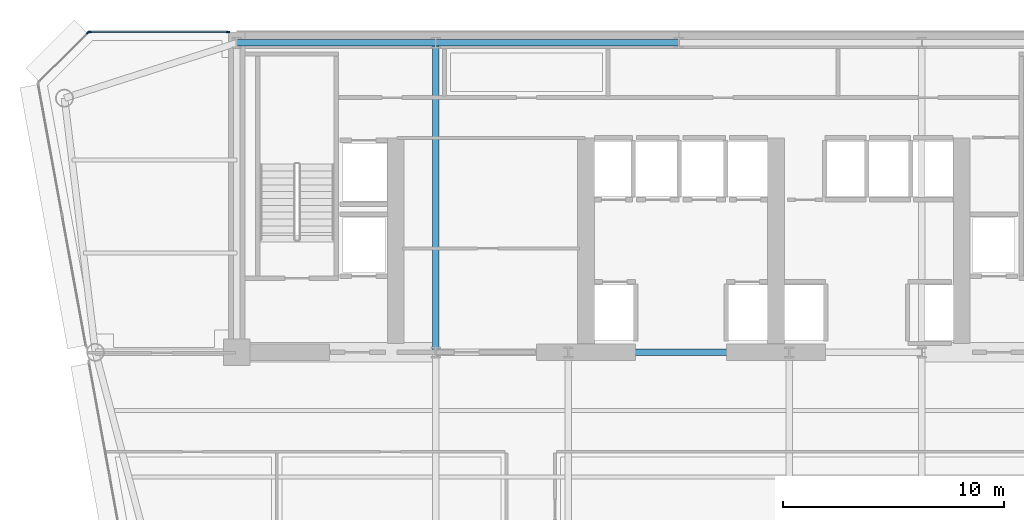
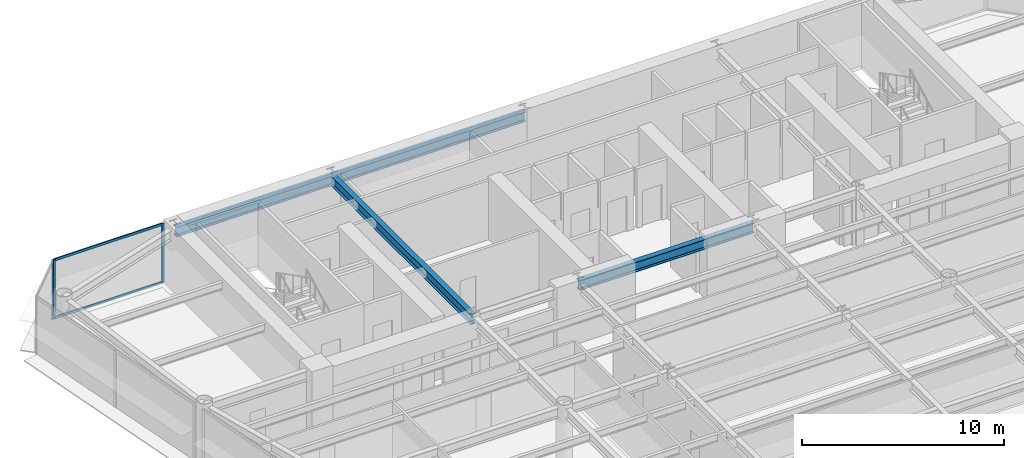
# One storey, part 8 of 17: 5 members, 4 beams, 2 elements without a shape of their own.
"""IFC4 building model written with IfcOpenShell, lengths in metres."""

from ifc_helpers import new_model, si_unit, direction, frame, origin, origin_2d, place, context, subcontext, project, spatial, rectangle, i_section, extrude, source, transform, mapped, material, layer, layer_set, material_profile, profile_set, type_object, element, aggregate, save


model = new_model("IFC4")

# Units and contexts
model_context = context("Model", 3, precision=1e-05, world=origin(), true_north=direction((0.0, 1.0)))
body_context = subcontext(model_context, "Body", "Model", "MODEL_VIEW")
ifc_project = project(units=[si_unit("LENGTHUNIT", "METRE"), si_unit("AREAUNIT", "SQUARE_METRE"), si_unit("VOLUMEUNIT", "CUBIC_METRE"), si_unit("PLANEANGLEUNIT", "RADIAN"), si_unit("MASSUNIT", "GRAM", prefix="KILO")], contexts=[model_context])

# Site, building, storey
site_placement = place(None, origin())
site = spatial("IfcSite", under=ifc_project, at=site_placement, CompositionType="ELEMENT")
building_placement = place(site_placement, origin())
building = spatial("IfcBuilding", under=site, at=building_placement, Name="Vaeldorn Concourse Tower", CompositionType="ELEMENT")
storey_placement = place(building_placement, frame((0.0, 0.0, 161.39990234375)))
storey = spatial("IfcBuildingStorey", under=building, at=storey_placement, Name="L41", CompositionType="ELEMENT", Elevation=161.39990234375)

# Beams
ifc_material_1 = material(Name="Steel S355", Category="steel")
ifc_material_profile_1 = material_profile(ifc_material_1, i_section(OverallWidth=0.300048828125, OverallDepth=0.60009765625, WebThickness=0.015380859375, FlangeThickness=0.030029296875, FilletRadius=0.027099609375, at=origin_2d()), Name="HEB 600")
ifc_profile_set_1 = profile_set([ifc_material_profile_1], Name="Steel S355")
beam_type = type_object("IfcBeamType", Name="BM-PG-HEB600", PredefinedType="BEAM", material=ifc_profile_set_1)
shared_shape_1 = source(origin(), body_context, "Body", "SweptSolid", [
    extrude(i_section(OverallWidth=0.300048828125, OverallDepth=0.60009765625, WebThickness=0.015380859375, FlangeThickness=0.030029296875, FilletRadius=0.027099609375, at=origin_2d()), origin(), (0.0, 0.0, 1.0), 10.0),
])
beam_1_placement = place(storey_placement, frame((29.0, 36.5, 3.280029296875), z_axis=(1.0, 0.0, 0.0), x_axis=(0.0, 1.0, 0.0)))
element("IfcBeam", 1, at=beam_1_placement, inside=storey, type_object=beam_type, Name="Beam BM-L41-C-FC3-C-FC4", PredefinedType="BEAM", context=body_context, shape_type="MappedRepresentation", body=[
    mapped(shared_shape_1, transform((0.0, 0.0, 0.0), scale=1.0)),
])
shared_shape_2 = source(origin(), body_context, "Body", "SweptSolid", [
    extrude(i_section(OverallWidth=0.300048828125, OverallDepth=0.60009765625, WebThickness=0.015380859375, FlangeThickness=0.030029296875, FilletRadius=0.027099609375, at=origin_2d()), origin(), (0.0, 0.0, 1.0), 9.0),
])
beam_2_placement = place(storey_placement, frame((14.0, 50.5, 3.280029296875), z_axis=(1.0, 0.0, 0.0), x_axis=(0.0, 1.0, 0.0)))
element("IfcBeam", 2, at=beam_2_placement, inside=storey, type_object=beam_type, Name="Beam BM-L41-C-HC1-C-HC2", PredefinedType="BEAM", context=body_context, shape_type="MappedRepresentation", body=[
    mapped(shared_shape_2, transform((0.0, 0.0, 0.0), scale=1.0)),
])
shared_shape_3 = source(origin(), body_context, "Body", "SweptSolid", [
    extrude(i_section(OverallWidth=0.300048828125, OverallDepth=0.60009765625, WebThickness=0.015380859375, FlangeThickness=0.030029296875, FilletRadius=0.027099609375, at=origin_2d()), origin(), (0.0, 0.0, 1.0), 11.0),
])
beam_3_placement = place(storey_placement, frame((23.0, 50.5, 3.280029296875), z_axis=(1.0, 0.0, 0.0), x_axis=(0.0, 1.0, 0.0)))
element("IfcBeam", 3, at=beam_3_placement, inside=storey, type_object=beam_type, Name="Beam BM-L41-C-HC2-C-HC3", PredefinedType="BEAM", context=body_context, shape_type="MappedRepresentation", body=[
    mapped(shared_shape_3, transform((0.0, 0.0, 0.0), scale=1.0)),
])
shared_shape_4 = source(origin(), body_context, "Body", "SweptSolid", [
    extrude(i_section(OverallWidth=0.300048828125, OverallDepth=0.60009765625, WebThickness=0.015380859375, FlangeThickness=0.030029296875, FilletRadius=0.027099609375, at=origin_2d()), origin(), (0.0, 0.0, 1.0), 14.0),
])
beam_4_placement = place(storey_placement, frame((23.0, 36.5, 3.280029296875), z_axis=(0.0, 1.0, 0.0), x_axis=(-1.0, 0.0, 0.0)))
element("IfcBeam", 4, at=beam_4_placement, inside=storey, type_object=beam_type, Name="Beam BM-L41-C-FC2-C-HC2", PredefinedType="BEAM", context=body_context, shape_type="MappedRepresentation", body=[
    mapped(shared_shape_4, transform((0.0, 0.0, 0.0), scale=1.0)),
])

# Curtain wall, members
ifc_material_2 = material(Name="Anodised Bronze Aluminium", Category="aluminium")
ifc_layer = layer(ifc_material_2, 0.18994140625)
ifc_layer_set = layer_set([ifc_layer], Name="Anodised Bronze Aluminium")
curtain_wall_type = type_object("IfcCurtainWallType", Name="CW-SYS-03", PredefinedType="NOTDEFINED", material=ifc_layer_set)
curtain_wall_1_placement = place(storey_placement, origin())
curtain_wall_1 = element("IfcCurtainWall", 5, at=curtain_wall_1_placement, inside=storey, type_object=curtain_wall_type, Name="Unitised Curtain Wall CW-L41-E09-2", PredefinedType="NOTDEFINED")
ifc_material_profile_2 = material_profile(ifc_material_2, rectangle(XDim=0.06494140625, YDim=0.14990234375, at=origin_2d()), Name="CWT 65x150")
ifc_profile_set_2 = profile_set([ifc_material_profile_2], Name="Anodised Bronze Aluminium")
member_type_1 = type_object("IfcMemberType", Name="CWT-BRONZE-150", PredefinedType="USERDEFINED", material=ifc_profile_set_2)
shared_shape_5 = source(origin(), body_context, "Body", "SweptSolid", [
    extrude(rectangle(XDim=0.06494140625, YDim=0.14990234375, at=origin_2d()), origin(), (0.0, 0.0, 1.0), 6.199951171875),
])
member_1_placement = place(storey_placement, frame((13.56494140625, 51.0, 0.03271484375), z_axis=(-1.0, 0.0, 0.0), x_axis=(0.0, -1.0, 0.0)))
member_1 = element("IfcMember", 6, at=member_1_placement, type_object=member_type_1, Name="CW-03 transom 1.1", ObjectType="TRANSOM", PredefinedType="USERDEFINED", context=body_context, shape_type="MappedRepresentation", body=[
    mapped(shared_shape_5, transform((0.0, 0.0, 0.0), scale=1.0)),
])
member_2_placement = place(storey_placement, frame((13.56494140625, 51.0, 3.547607421875), z_axis=(-1.0, 0.0, 0.0), x_axis=(0.0, -1.0, 0.0)))
member_2 = element("IfcMember", 7, at=member_2_placement, type_object=member_type_1, Name="CW-03 transom 1.2", ObjectType="TRANSOM", PredefinedType="USERDEFINED", context=body_context, shape_type="MappedRepresentation", body=[
    mapped(shared_shape_5, transform((0.0, 0.0, 0.0), scale=1.0)),
])
ifc_material_profile_3 = material_profile(ifc_material_2, rectangle(XDim=0.06494140625, YDim=0.169921875, at=origin_2d()), Name="CWM 65x170")
ifc_profile_set_3 = profile_set([ifc_material_profile_3], Name="Anodised Bronze Aluminium")
member_type_2 = type_object("IfcMemberType", Name="CWM-BRONZE-170", PredefinedType="MULLION", material=ifc_profile_set_3)
shared_shape_6 = source(origin(), body_context, "Body", "SweptSolid", [
    extrude(rectangle(XDim=0.06494140625, YDim=0.169921875, at=origin_2d()), origin(), (0.0, 0.0, 1.0), 3.580078125),
])
member_3_placement = place(storey_placement, frame((13.597412109375, 51.0, 0.0), z_axis=(0.0, 0.0, 1.0), x_axis=(0.0, -1.0, 0.0)))
member_3 = element("IfcMember", 8, at=member_3_placement, type_object=member_type_2, Name="CW-03 mullion 1", PredefinedType="MULLION", context=body_context, shape_type="MappedRepresentation", body=[
    mapped(shared_shape_6, transform((0.0, 0.0, 0.0), scale=1.0)),
])
member_4_placement = place(storey_placement, frame((7.33251953125, 51.0, 0.0), z_axis=(0.0, 0.0, 1.0), x_axis=(0.0, -1.0, 0.0)))
member_4 = element("IfcMember", 9, at=member_4_placement, type_object=member_type_2, Name="CW-03 mullion 2", PredefinedType="MULLION", context=body_context, shape_type="MappedRepresentation", body=[
    mapped(shared_shape_6, transform((0.0, 0.0, 0.0), scale=1.0)),
])
aggregate(curtain_wall_1, [member_3, member_4, member_1, member_2])

# Curtain wall, member
curtain_wall_2_placement = place(storey_placement, origin())
curtain_wall_2 = element("IfcCurtainWall", 10, at=curtain_wall_2_placement, inside=storey, type_object=curtain_wall_type, Name="Unitised Curtain Wall CW-L41-E10-1", PredefinedType="NOTDEFINED")
member_5_placement = place(storey_placement, frame((7.277099609375, 50.97705078125, 0.0), z_axis=(0.0, 0.0, 1.0), x_axis=(0.707106781187, -0.707106781187, 0.0)))
member_5 = element("IfcMember", 11, at=member_5_placement, type_object=member_type_2, Name="CW-03 mullion 1", PredefinedType="MULLION", context=body_context, shape_type="MappedRepresentation", body=[
    mapped(shared_shape_6, transform((0.0, 0.0, 0.0), scale=1.0)),
])
aggregate(curtain_wall_2, [member_5])

save(model, "model.ifc")
